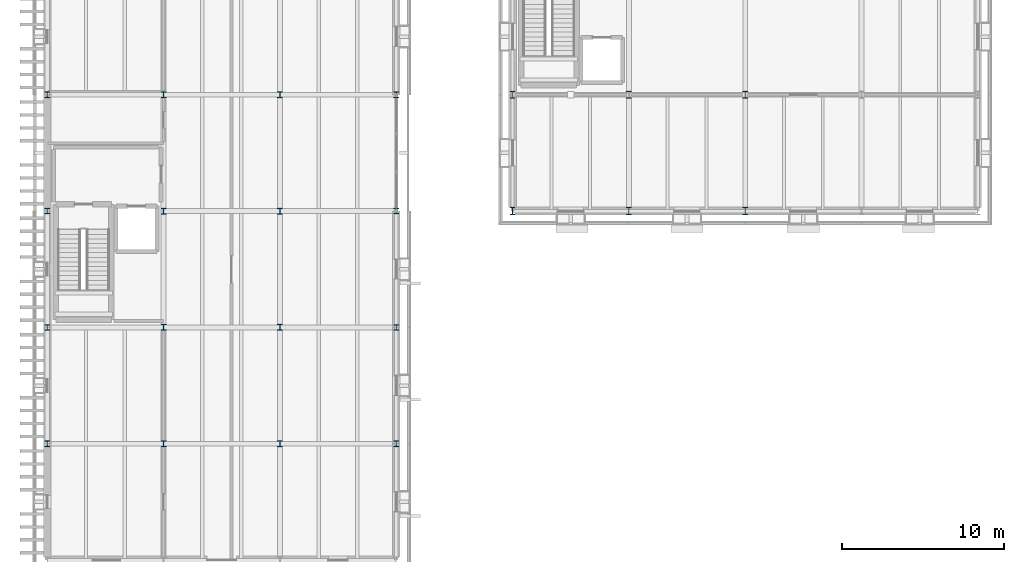
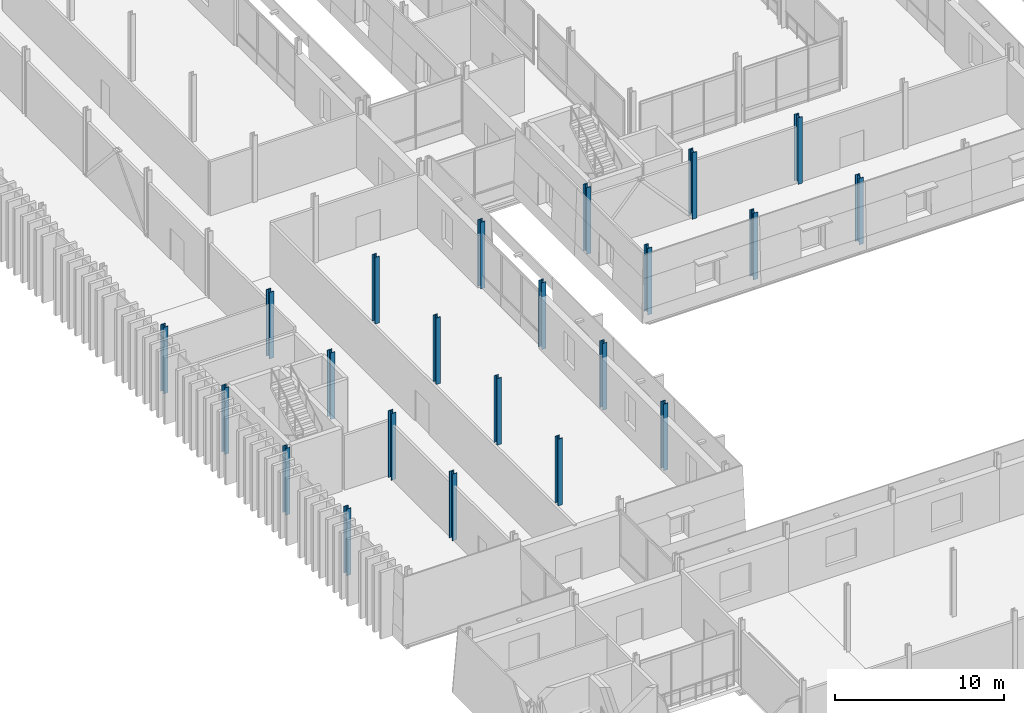
# One storey, part 3 of 121: 22 columns.
"""IFC4 building model written with IfcOpenShell, lengths in metres."""

from ifc_helpers import new_model, si_unit, direction, frame, origin, origin_2d, place, context, subcontext, project, spatial, i_section, extrude, material, material_profile, profile_set, type_object, element, save


model = new_model("IFC4")

# Units and contexts
model_context = context("Model", 3, precision=1e-05, world=origin(), true_north=direction((0.0, 1.0)))
body_context = subcontext(model_context, "Body", "Model", "MODEL_VIEW")
ifc_project = project(units=[si_unit("LENGTHUNIT", "METRE"), si_unit("AREAUNIT", "SQUARE_METRE"), si_unit("VOLUMEUNIT", "CUBIC_METRE"), si_unit("PLANEANGLEUNIT", "RADIAN"), si_unit("MASSUNIT", "GRAM", prefix="KILO")], contexts=[model_context])

# Site, building, storey
site_placement = place(None, origin())
site = spatial("IfcSite", under=ifc_project, at=site_placement, CompositionType="ELEMENT")
building_placement = place(site_placement, origin())
building = spatial("IfcBuilding", under=site, at=building_placement, Name="Narikvali Park Central Library", CompositionType="ELEMENT")
storey_placement = place(building_placement, frame((0.0, 0.0, 5.39990234375)))
storey = spatial("IfcBuildingStorey", under=building, at=storey_placement, Name="L01", CompositionType="ELEMENT", Elevation=5.39990234375)

# Columns
ifc_material = material(Name="Steel S355", Category="steel")
ifc_material_profile_1 = material_profile(ifc_material, i_section(OverallWidth=0.30908203125, OverallDepth=0.376953125, WebThickness=0.02099609375, FlangeThickness=0.035888671875, FilletRadius=0.027099609375, at=origin_2d()), Name="HEM 340")
ifc_profile_set_1 = profile_set([ifc_material_profile_1], Name="Steel S355")
column_type_1 = type_object("IfcColumnType", Name="Stack Interior Column HEM340", PredefinedType="COLUMN", material=ifc_profile_set_1)
for number, where, z_axis, x_axis, name in (
    (1, (7.199951171875, 36.0, 0.0), (0.0, 0.0, 1.0), (1.0, 0.0, 0.0), "V5 L01 Column (7.2,36.0)"),
    (2, (7.199951171875, 43.199951171875, 0.0), (0.0, 0.0, 1.0), (1.0, 0.0, 0.0), "V5 L01 Column (7.2,43.2)"),
    (3, (7.199951171875, 50.39990234375, 0.0), (0.0, 0.0, 1.0), (1.0, 0.0, 0.0), "V5 L01 Column (7.2,50.4)"),
    (4, (7.199951171875, 57.60009765625, 0.0), (0.0, 0.0, 1.0), (1.0, 0.0, 0.0), "V5 L01 Column (7.2,57.6)"),
    (5, (14.39990234375, 36.0, 0.0), (0.0, 0.0, 1.0), (1.0, 0.0, 0.0), "V5 L01 Column (14.4,36.0)"),
    (6, (14.39990234375, 43.199951171875, 0.0), (0.0, 0.0, 1.0), (1.0, 0.0, 0.0), "V5 L01 Column (14.4,43.2)"),
    (7, (14.39990234375, 50.39990234375, 0.0), (0.0, 0.0, 1.0), (1.0, 0.0, 0.0), "V5 L01 Column (14.4,50.4)"),
    (8, (14.39990234375, 57.60009765625, 0.0), (0.0, 0.0, 1.0), (1.0, 0.0, 0.0), "V5 L01 Column (14.4,57.6)"),
):
    element("IfcColumn", number, at=place(storey_placement, frame(where, z_axis=z_axis, x_axis=x_axis)), inside=storey, type_object=column_type_1, Name=name, PredefinedType="COLUMN", context=body_context, shape_type="SweptSolid", body=[
        extrude(i_section(OverallWidth=0.30908203125, OverallDepth=0.376953125, WebThickness=0.02099609375, FlangeThickness=0.035888671875, FilletRadius=0.027099609375, at=origin_2d()), origin(), (0.0, 0.0, 1.0), 4.800048828125),
    ])
ifc_material_profile_2 = material_profile(ifc_material, i_section(OverallWidth=0.300048828125, OverallDepth=0.449951171875, WebThickness=0.013916015625, FlangeThickness=0.02587890625, FilletRadius=0.027099609375, at=origin_2d()), Name="HEB 450")
ifc_profile_set_2 = profile_set([ifc_material_profile_2], Name="Steel S355")
column_type_2 = type_object("IfcColumnType", Name="Steel Column HEB450", PredefinedType="COLUMN", material=ifc_profile_set_2)
for number, where, z_axis, x_axis, name in (
    (9, (28.800048828125, 50.39990234375, 0.0), (0.0, 0.0, 1.0), (1.0, 0.0, 0.0), "V4 L01 Column (28.8,50.4)"),
    (10, (28.800048828125, 57.60009765625, 0.0), (0.0, 0.0, 1.0), (1.0, 0.0, 0.0), "V4 L01 Column (28.8,57.6)"),
    (11, (36.0, 50.39990234375, 0.0), (0.0, 0.0, 1.0), (1.0, 0.0, 0.0), "V4 L01 Column (36.0,50.4)"),
    (12, (36.0, 57.60009765625, 0.0), (0.0, 0.0, 1.0), (1.0, 0.0, 0.0), "V4 L01 Column (36.0,57.6)"),
    (13, (43.199951171875, 50.39990234375, 0.0), (0.0, 0.0, 1.0), (1.0, 0.0, 0.0), "V4 L01 Column (43.2,50.4)"),
    (14, (43.199951171875, 57.60009765625, 0.0), (0.0, 0.0, 1.0), (1.0, 0.0, 0.0), "V4 L01 Column (43.2,57.6)"),
):
    element("IfcColumn", number, at=place(storey_placement, frame(where, z_axis=z_axis, x_axis=x_axis)), inside=storey, type_object=column_type_2, Name=name, PredefinedType="COLUMN", context=body_context, shape_type="SweptSolid", body=[
        extrude(i_section(OverallWidth=0.300048828125, OverallDepth=0.449951171875, WebThickness=0.013916015625, FlangeThickness=0.02587890625, FilletRadius=0.027099609375, at=origin_2d()), origin(), (0.0, 0.0, 1.0), 4.800048828125),
    ])
ifc_material_profile_3 = material_profile(ifc_material, i_section(OverallWidth=0.30908203125, OverallDepth=0.35888671875, WebThickness=0.02099609375, FlangeThickness=0.034912109375, FilletRadius=0.027099609375, at=origin_2d()), Name="HEM 320")
ifc_profile_set_3 = profile_set([ifc_material_profile_3], Name="Steel S355")
column_type_3 = type_object("IfcColumnType", Name="Steel Column HEM320", PredefinedType="COLUMN", material=ifc_profile_set_3)
for number, where, z_axis, x_axis, name in (
    (15, (0.0, 36.0, 0.0), (0.0, 0.0, 1.0), (1.0, 0.0, 0.0), "V5 L01 Column (0.0,36.0)"),
    (16, (0.0, 43.199951171875, 0.0), (0.0, 0.0, 1.0), (1.0, 0.0, 0.0), "V5 L01 Column (0.0,43.2)"),
    (17, (0.0, 50.39990234375, 0.0), (0.0, 0.0, 1.0), (1.0, 0.0, 0.0), "V5 L01 Column (0.0,50.4)"),
    (18, (0.0, 57.60009765625, 0.0), (0.0, 0.0, 1.0), (1.0, 0.0, 0.0), "V5 L01 Column (0.0,57.6)"),
    (19, (21.60009765625, 36.0, 0.0), (0.0, 0.0, 1.0), (1.0, 0.0, 0.0), "V5 L01 Column (21.6,36.0)"),
    (20, (21.60009765625, 43.199951171875, 0.0), (0.0, 0.0, 1.0), (1.0, 0.0, 0.0), "V5 L01 Column (21.6,43.2)"),
    (21, (21.60009765625, 50.39990234375, 0.0), (0.0, 0.0, 1.0), (1.0, 0.0, 0.0), "V5 L01 Column (21.6,50.4)"),
    (22, (21.60009765625, 57.60009765625, 0.0), (0.0, 0.0, 1.0), (1.0, 0.0, 0.0), "V5 L01 Column (21.6,57.6)"),
):
    element("IfcColumn", number, at=place(storey_placement, frame(where, z_axis=z_axis, x_axis=x_axis)), inside=storey, type_object=column_type_3, Name=name, PredefinedType="COLUMN", context=body_context, shape_type="SweptSolid", body=[
        extrude(i_section(OverallWidth=0.30908203125, OverallDepth=0.35888671875, WebThickness=0.02099609375, FlangeThickness=0.034912109375, FilletRadius=0.027099609375, at=origin_2d()), origin(), (0.0, 0.0, 1.0), 4.800048828125),
    ])

save(model, "model.ifc")
